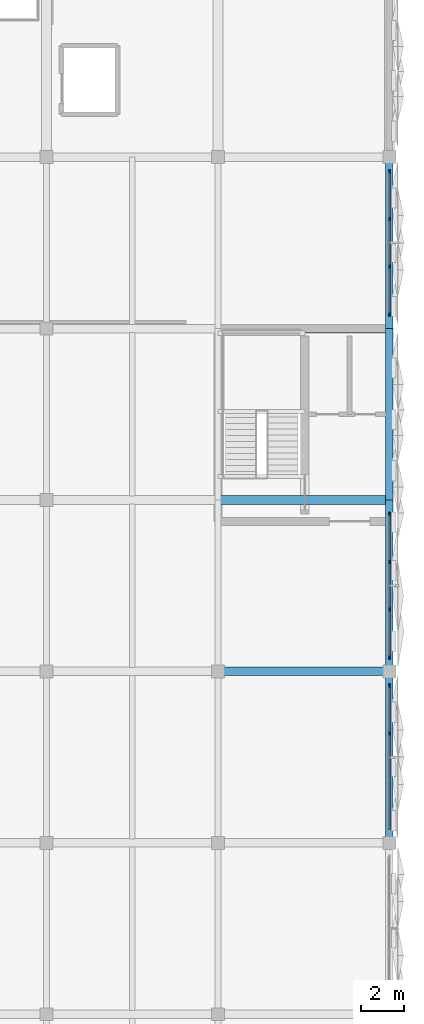
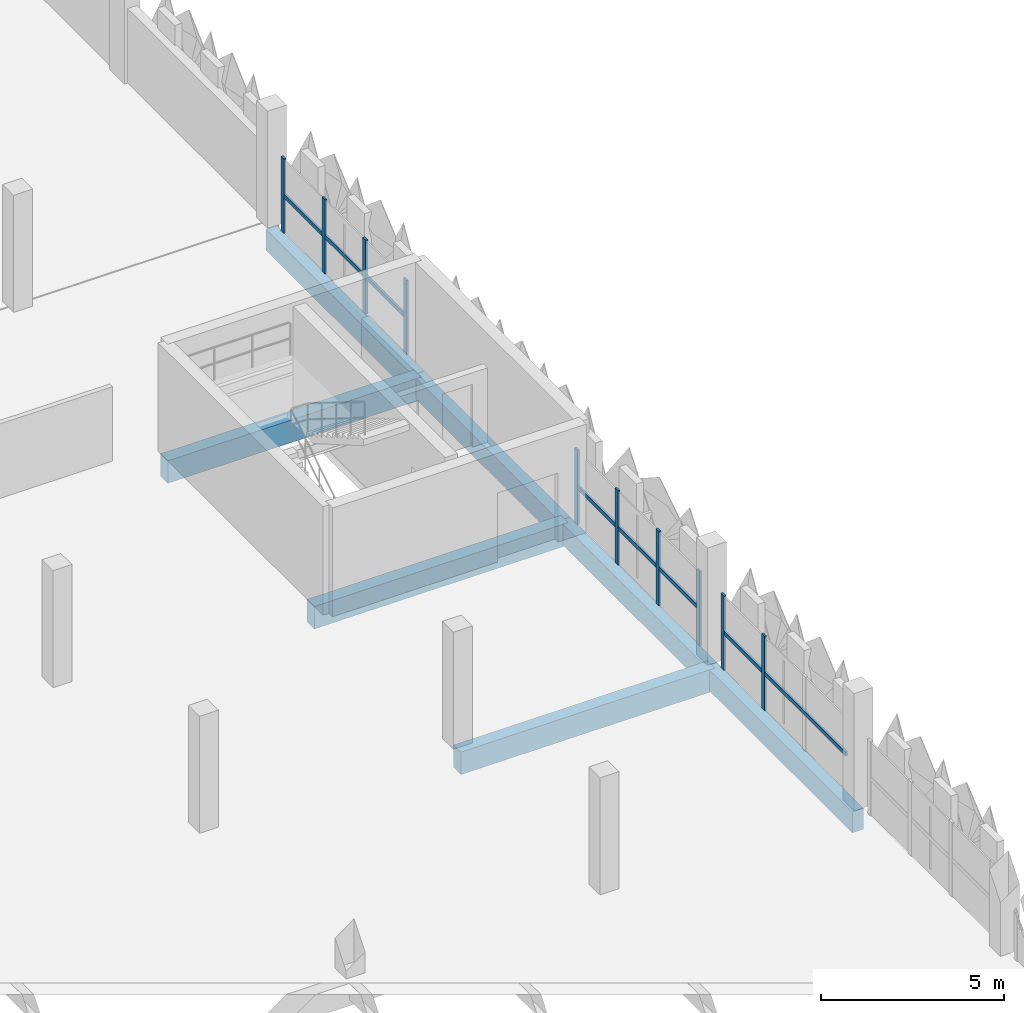
# One storey, part 47 of 123: 13 members, 7 beams, 3 elements without a shape of their own.
"""IFC4 building model written with IfcOpenShell, lengths in metres."""

import ifcopenshell
import ifcopenshell.guid

model = None  # the IFC model being written
_history = None  # IfcOwnerHistory: only IFC2X3 demands one
_inside = {}  # id of a spatial element -> (the spatial element, [elements in it])
_under = {}  # id of a project, library or spatial element -> (it, [spatial elements below it])
_declared = {}  # id of a project -> (the project, [libraries it declares])
_typed = {}  # id of a type object -> (the type object, [elements of that type])
_made_of = {}  # id of a material, layer set ... -> (it, [elements and type objects made of it])


def new_model(schema):
    """Start an empty IFC model of exactly this schema.

    Asked for "IFC4X3", IfcOpenShell would pick the latest addendum, in which some entities
    have other attributes; the version numbers below select the first issue.
    IFC2X3 requires an IfcOwnerHistory on every rooted entity: one is made here for all.
    """
    global model, _history
    if schema == "IFC4X3":
        model = ifcopenshell.file(schema_version=(4, 3, 0, 0))
    else:
        model = ifcopenshell.file(schema=schema)
    _inside.clear()
    _under.clear()
    _declared.clear()
    _typed.clear()
    _made_of.clear()
    _history = None
    if model.schema == "IFC2X3":
        org = make("IfcOrganization", Name="unknown")
        user = make(
            "IfcPersonAndOrganization",
            ThePerson=make("IfcPerson", FamilyName="unknown"),
            TheOrganization=org,
        )
        app = make(
            "IfcApplication",
            ApplicationDeveloper=org,
            Version="unknown",
            ApplicationFullName="unknown",
            ApplicationIdentifier="unknown",
        )
        _history = make(
            "IfcOwnerHistory",
            OwningUser=user,
            OwningApplication=app,
            ChangeAction="ADDED",
            CreationDate=0,
        )
    return model


def make(cls, **values):
    """One entity of the class cls with the attributes given. An attribute that is None is left unset."""
    return model.create_entity(
        cls, **{name: value for name, value in values.items() if value is not None}
    )


def rooted(cls, **values):
    """An entity with a GlobalId (a new one), such as an element, a storey or a relation."""
    return make(cls, GlobalId=ifcopenshell.guid.new(), OwnerHistory=_history, **values)


def si_unit(unit_type, name, prefix=None):
    """IfcSIUnit, for example si_unit("LENGTHUNIT", "METRE", prefix="MILLI")."""
    return make("IfcSIUnit", UnitType=unit_type, Prefix=prefix, Name=name)


def derived_unit(unit_type, elements):
    """IfcDerivedUnit: a product of units, each with its exponent."""
    return make(
        "IfcDerivedUnit",
        Elements=[
            make("IfcDerivedUnitElement", Unit=unit, Exponent=power)
            for unit, power in elements
        ],
        UnitType=unit_type,
    )


def assignment(units):
    """IfcUnitAssignment: the units of a project."""
    return None if units is None else make("IfcUnitAssignment", Units=units)


def point(xyz):
    """IfcCartesianPoint."""
    return None if xyz is None else make("IfcCartesianPoint", Coordinates=xyz)


def direction(xyz):
    """IfcDirection."""
    return None if xyz is None else make("IfcDirection", DirectionRatios=xyz)


def frame(location, z_axis=None, x_axis=None):
    """IfcAxis2Placement3D, a coordinate frame: its origin and axes. An axis left out is left unset."""
    return make(
        "IfcAxis2Placement3D",
        Location=point(location),
        Axis=direction(z_axis),
        RefDirection=direction(x_axis),
    )


def frame_2d(location, x_axis=None):
    """IfcAxis2Placement2D, a coordinate frame in the plane: its origin and x axis."""
    return make(
        "IfcAxis2Placement2D", Location=point(location), RefDirection=direction(x_axis)
    )


def origin():
    """The frame at (0, 0, 0) with its axes left unset."""
    return frame((0.0, 0.0, 0.0))


def origin_2d():
    """The frame at (0, 0) in the plane with its x axis left unset."""
    return frame_2d((0.0, 0.0))


def place(relative_to, where):
    """IfcLocalPlacement: puts the frame where relative to a parent placement (None: the world)."""
    return make(
        "IfcLocalPlacement", PlacementRelTo=relative_to, RelativePlacement=where
    )


def context(
    kind, dimensions, precision=None, world=None, true_north=None, identifier=None
):
    """IfcGeometricRepresentationContext, for example the 3D "Model" context."""
    return make(
        "IfcGeometricRepresentationContext",
        ContextIdentifier=identifier,
        ContextType=kind,
        CoordinateSpaceDimension=dimensions,
        Precision=precision,
        WorldCoordinateSystem=world,
        TrueNorth=true_north,
    )


def subcontext(parent, identifier, kind, view, scale=None):
    """IfcGeometricRepresentationSubContext, for example "Body" below "Model"."""
    return make(
        "IfcGeometricRepresentationSubContext",
        ContextIdentifier=identifier,
        ContextType=kind,
        ParentContext=parent,
        TargetScale=scale,
        TargetView=view,
    )


def project(units=None, contexts=None):
    """IfcProject with its units and contexts."""
    return rooted(
        "IfcProject",
        Name="project",
        RepresentationContexts=contexts,
        UnitsInContext=assignment(units),
    )


def spatial(cls, under=None, at=None, **own):
    """A site, building, storey or space (cls), placed at a placement, below another one or the project."""
    s = rooted(cls, ObjectPlacement=at, **own)
    if under is not None:
        _under.setdefault(under.id(), (under, []))[1].append(s)
    return s


def profile(cls, at=None, kind="AREA", **sizes):
    """A parametric profile (cls). Its sizes go by their IFC names, for example OverallWidth=200.0."""
    return make(cls, ProfileType=kind, Position=at, **sizes)


def rectangle(**sizes):
    """IfcRectangleProfileDef."""
    return profile("IfcRectangleProfileDef", **sizes)


def extrude(swept, where, along, depth):
    """IfcExtrudedAreaSolid: the profile swept, set in the frame where, extruded along a direction by depth."""
    return make(
        "IfcExtrudedAreaSolid",
        SweptArea=swept,
        Position=where,
        ExtrudedDirection=direction(along),
        Depth=depth,
    )


def shape(context_of_items, identifier, shape_type, items):
    """IfcShapeRepresentation: the items that make up one representation, for example the "Body"."""
    return make(
        "IfcShapeRepresentation",
        ContextOfItems=context_of_items,
        RepresentationIdentifier=identifier,
        RepresentationType=shape_type,
        Items=items,
    )


def material(Name=None, Category=None):
    """IfcMaterial."""
    return make("IfcMaterial", Name=Name, Category=Category)


def layer(
    of_material, thickness, ventilated=None, Name=None, Category=None, Priority=None
):
    """IfcMaterialLayer: one layer of a wall or slab, of a material (None: an air gap)."""
    return make(
        "IfcMaterialLayer",
        Material=of_material,
        LayerThickness=thickness,
        IsVentilated=ventilated,
        Name=Name,
        Category=Category,
        Priority=Priority,
    )


def layer_set(layers, Name=None):
    """IfcMaterialLayerSet."""
    return make("IfcMaterialLayerSet", MaterialLayers=layers, LayerSetName=Name)


def material_profile(
    of_material, cross_section, Name=None, Category=None, Priority=None
):
    """IfcMaterialProfile: a cross section and its material."""
    return make(
        "IfcMaterialProfile",
        Name=Name,
        Material=of_material,
        Profile=cross_section,
        Priority=Priority,
        Category=Category,
    )


def profile_set(profiles, Name=None, composite=None):
    """IfcMaterialProfileSet."""
    return make(
        "IfcMaterialProfileSet",
        Name=Name,
        MaterialProfiles=profiles,
        CompositeProfile=composite,
    )


def made_of(thing, what):
    """Note that an element or type object is made of a material, layer set ...; save() writes the relation."""
    if what is not None:
        _made_of.setdefault(what.id(), (what, []))[1].append(thing)
    return thing


def type_object(cls, material=None, **own):
    """A type object (cls), such as IfcWallType, which elements share."""
    return made_of(rooted(cls, **own), material)


def element(
    cls,
    number,
    at=None,
    inside=None,
    cuts=None,
    type_object=None,
    material=None,
    context=None,
    identifier="Body",
    shape_type=None,
    held_by="IfcProductDefinitionShape",
    body=None,
    shapes=None,
    **own,
):
    """One element of the class cls, such as IfcWall. Its Tag is "e" and its number.

    at: its placement. inside: the storey or other place that contains it. cuts: it is an
    opening in that element (IfcRelVoidsElement). A single representation is given by context,
    identifier, shape_type and body (its items); several are given by shapes. held_by: the class
    of the entity that holds the representations. save() writes the other relations.
    """
    e = rooted(cls, Tag="e%d" % number, ObjectPlacement=at, **own)
    if body is not None:
        shapes = [shape(context, identifier, shape_type, body)]
    if shapes is not None:
        e.Representation = make(held_by, Representations=shapes)
    if inside is not None:
        _inside.setdefault(inside.id(), (inside, []))[1].append(e)
    if cuts is not None:
        rooted(
            "IfcRelVoidsElement", RelatingBuildingElement=cuts, RelatedOpeningElement=e
        )
    if type_object is not None:
        _typed.setdefault(type_object.id(), (type_object, []))[1].append(e)
    return made_of(e, material)


def aggregate(whole, parts):
    """IfcRelAggregates: a whole, such as a stair, and the parts it consists of."""
    return rooted("IfcRelAggregates", RelatingObject=whole, RelatedObjects=parts)


def save(model, path):
    """Write the relations noted so far, then the file.

    IfcRelAggregates (storeys below a building ...), IfcRelContainedInSpatialStructure (elements
    in a storey), IfcRelDefinesByType, IfcRelAssociatesMaterial and IfcRelDeclares: one each for
    every whole, place, type object, material and project.
    """
    for whole, parts in _under.values():
        aggregate(whole, parts)
    for where, things in _inside.values():
        rooted(
            "IfcRelContainedInSpatialStructure",
            RelatedElements=things,
            RelatingStructure=where,
        )
    for kind, things in _typed.values():
        rooted("IfcRelDefinesByType", RelatedObjects=things, RelatingType=kind)
    for what, things in _made_of.values():
        rooted("IfcRelAssociatesMaterial", RelatedObjects=things, RelatingMaterial=what)
    for by, libraries in _declared.values():
        rooted("IfcRelDeclares", RelatingContext=by, RelatedDefinitions=libraries)
    model.write(path)


model = new_model("IFC4")

# Units and contexts
model_context = context("Model", 3, precision=1e-05, world=origin(), true_north=direction((0.0, 1.0)))
body_context = subcontext(model_context, "Body", "Model", "MODEL_VIEW")
ifc_project = project(units=[si_unit("LENGTHUNIT", "METRE"), si_unit("AREAUNIT", "SQUARE_METRE"), si_unit("VOLUMEUNIT", "CUBIC_METRE"), si_unit("PLANEANGLEUNIT", "RADIAN"), si_unit("MASSUNIT", "GRAM", prefix="KILO"), si_unit("THERMODYNAMICTEMPERATUREUNIT", "KELVIN"), derived_unit("THERMALTRANSMITTANCEUNIT", [(si_unit("POWERUNIT", "WATT"), 1), (si_unit("AREAUNIT", "SQUARE_METRE"), -1), (si_unit("THERMODYNAMICTEMPERATUREUNIT", "KELVIN"), -1)])], contexts=[model_context])

# Site, building, storey
site_placement = place(None, origin())
site = spatial("IfcSite", under=ifc_project, at=site_placement, CompositionType="ELEMENT")
building_placement = place(site_placement, origin())
building = spatial("IfcBuilding", under=site, at=building_placement, Name="Haiyu Intermodal Mobility Hub", CompositionType="ELEMENT")
storey_placement = place(building_placement, frame((0.0, 0.0, 5.60009765625)))
storey = spatial("IfcBuildingStorey", under=building, at=storey_placement, Name="L01", CompositionType="ELEMENT", Elevation=5.60009765625)

# Beams
ifc_material_1 = material(Name="Concrete C40", Category="concrete")
ifc_material_profile_1 = material_profile(ifc_material_1, rectangle(XDim=0.39990234375, YDim=0.75, at=origin_2d()), Name="RCB400x750")
ifc_profile_set_1 = profile_set([ifc_material_profile_1], Name="Concrete C40")
beam_type_1 = type_object("IfcBeamType", Name="BM-CB03", PredefinedType="BEAM", material=ifc_profile_set_1)
for number, where, z_axis, x_axis, name in (
    (1, (202.0, 56.0, -0.635009765625), (1.0, 0.0, 0.0), (0.0, 1.0, 0.0), "BM-V5G-L01-041"),
    (2, (202.0, 64.0, -0.635009765625), (1.0, 0.0, 0.0), (0.0, 1.0, 0.0), "BM-V5G-L01-048"),
    (3, (202.0, 72.0, -0.635009765625), (1.0, 0.0, 0.0), (0.0, 1.0, 0.0), "BM-V5G-L01-055"),
):
    element("IfcBeam", number, at=place(storey_placement, frame(where, z_axis=z_axis, x_axis=x_axis)), inside=storey, type_object=beam_type_1, Name=name, PredefinedType="BEAM", context=body_context, shape_type="SweptSolid", body=[
        extrude(rectangle(XDim=0.39990234375, YDim=0.75, at=origin_2d()), origin(), (0.0, 0.0, 1.0), 8.0),
    ])
ifc_material_profile_2 = material_profile(ifc_material_1, rectangle(XDim=0.35009765625, YDim=0.699951171875, at=origin_2d()), Name="RCB350x700")
ifc_profile_set_2 = profile_set([ifc_material_profile_2], Name="Concrete C40")
beam_type_2 = type_object("IfcBeamType", Name="BM-CB06", PredefinedType="BEAM", material=ifc_profile_set_2)
for number, where, z_axis, x_axis, name in (
    (4, (210.0, 48.0, -0.610107421875), (0.0, 1.0, 0.0), (-1.0, 0.0, 0.0), "BM-V5T-L01-060"),
    (5, (210.0, 56.0, -0.610107421875), (0.0, 1.0, 0.0), (-1.0, 0.0, 0.0), "BM-V5T-L01-061"),
    (6, (210.0, 64.0, -0.610107421875), (0.0, 1.0, 0.0), (-1.0, 0.0, 0.0), "BM-V5T-L01-062"),
    (7, (210.0, 72.0, -0.610107421875), (0.0, 1.0, 0.0), (-1.0, 0.0, 0.0), "BM-V5T-L01-063"),
):
    element("IfcBeam", number, at=place(storey_placement, frame(where, z_axis=z_axis, x_axis=x_axis)), inside=storey, type_object=beam_type_2, Name=name, PredefinedType="BEAM", context=body_context, shape_type="SweptSolid", body=[
        extrude(rectangle(XDim=0.35009765625, YDim=0.699951171875, at=origin_2d()), origin(), (0.0, 0.0, 1.0), 8.0),
    ])

# Curtain wall, members
ifc_material_2 = material(Name="Low-e laminated insulating glass", Category="glass")
ifc_layer = layer(ifc_material_2, 0.2099609375)
ifc_layer_set = layer_set([ifc_layer], Name="Low-e laminated insulating glass")
curtain_wall_type = type_object("IfcCurtainWallType", Name="CW-CW04", PredefinedType="NOTDEFINED", material=ifc_layer_set)
curtain_wall_1_placement = place(storey_placement, origin())
curtain_wall_1 = element("IfcCurtainWall", 8, at=curtain_wall_1_placement, inside=storey, type_object=curtain_wall_type, Name="Curtain Wall CW-V5E-L01-102", PredefinedType="NOTDEFINED")
ifc_material_3 = material(Name="Anodised aluminium 6063-T6", Category="aluminium")
ifc_material_profile_3 = material_profile(ifc_material_3, rectangle(XDim=0.06494140625, YDim=0.1650390625, at=origin_2d()), Name="ALU65x165")
ifc_profile_set_3 = profile_set([ifc_material_profile_3], Name="Anodised aluminium 6063-T6")
member_type_1 = type_object("IfcMemberType", Name="CWM-ML02", PredefinedType="MULLION", material=ifc_profile_set_3)
member_1_placement = place(storey_placement, frame((210.0, 53.113037109375, 0.0), z_axis=(0.0, 0.0, 1.0), x_axis=(1.0, 0.0, 0.0)))
member_1 = element("IfcMember", 9, at=member_1_placement, type_object=member_type_1, Name="CW-V5E-L01-102-ML03", PredefinedType="MULLION", context=body_context, shape_type="SweptSolid", body=[
    extrude(rectangle(XDim=0.06494140625, YDim=0.1650390625, at=origin_2d()), origin(), (0.0, 0.0, 1.0), 2.47998046875),
])
member_2_placement = place(storey_placement, frame((210.0, 55.340087890625, 0.0), z_axis=(0.0, 0.0, 1.0), x_axis=(1.0, 0.0, 0.0)))
member_2 = element("IfcMember", 10, at=member_2_placement, type_object=member_type_1, Name="CW-V5E-L01-102-ML04", PredefinedType="MULLION", context=body_context, shape_type="SweptSolid", body=[
    extrude(rectangle(XDim=0.06494140625, YDim=0.1650390625, at=origin_2d()), origin(), (0.0, 0.0, 1.0), 2.47998046875),
])

curtain_wall_2_placement = place(storey_placement, origin())
curtain_wall_2 = element("IfcCurtainWall", 11, at=curtain_wall_2_placement, inside=storey, type_object=curtain_wall_type, Name="Curtain Wall CW-V5E-L01-103", PredefinedType="NOTDEFINED")
member_3_placement = place(storey_placement, frame((210.0, 56.659912109375, 0.0), z_axis=(0.0, 0.0, 1.0), x_axis=(1.0, 0.0, 0.0)))
member_3 = element("IfcMember", 12, at=member_3_placement, type_object=member_type_1, Name="CW-V5E-L01-103-ML01", PredefinedType="MULLION", context=body_context, shape_type="SweptSolid", body=[
    extrude(rectangle(XDim=0.06494140625, YDim=0.1650390625, at=origin_2d()), origin(), (0.0, 0.0, 1.0), 2.47998046875),
])
member_4_placement = place(storey_placement, frame((210.0, 58.886962890625, 0.0), z_axis=(0.0, 0.0, 1.0), x_axis=(1.0, 0.0, 0.0)))
member_4 = element("IfcMember", 13, at=member_4_placement, type_object=member_type_1, Name="CW-V5E-L01-103-ML02", PredefinedType="MULLION", context=body_context, shape_type="SweptSolid", body=[
    extrude(rectangle(XDim=0.06494140625, YDim=0.1650390625, at=origin_2d()), origin(), (0.0, 0.0, 1.0), 2.47998046875),
])
member_5_placement = place(storey_placement, frame((210.0, 61.113037109375, 0.0), z_axis=(0.0, 0.0, 1.0), x_axis=(1.0, 0.0, 0.0)))
member_5 = element("IfcMember", 14, at=member_5_placement, type_object=member_type_1, Name="CW-V5E-L01-103-ML03", PredefinedType="MULLION", context=body_context, shape_type="SweptSolid", body=[
    extrude(rectangle(XDim=0.06494140625, YDim=0.1650390625, at=origin_2d()), origin(), (0.0, 0.0, 1.0), 2.47998046875),
])
member_6_placement = place(storey_placement, frame((210.0, 63.340087890625, 0.0), z_axis=(0.0, 0.0, 1.0), x_axis=(1.0, 0.0, 0.0)))
member_6 = element("IfcMember", 15, at=member_6_placement, type_object=member_type_1, Name="CW-V5E-L01-103-ML04", PredefinedType="MULLION", context=body_context, shape_type="SweptSolid", body=[
    extrude(rectangle(XDim=0.06494140625, YDim=0.1650390625, at=origin_2d()), origin(), (0.0, 0.0, 1.0), 2.47998046875),
])

curtain_wall_3_placement = place(storey_placement, origin())
curtain_wall_3 = element("IfcCurtainWall", 16, at=curtain_wall_3_placement, inside=storey, type_object=curtain_wall_type, Name="Curtain Wall CW-V5E-L01-104", PredefinedType="NOTDEFINED")
member_7_placement = place(storey_placement, frame((210.0, 72.659912109375, 0.0), z_axis=(0.0, 0.0, 1.0), x_axis=(1.0, 0.0, 0.0)))
member_7 = element("IfcMember", 17, at=member_7_placement, type_object=member_type_1, Name="CW-V5E-L01-104-ML01", PredefinedType="MULLION", context=body_context, shape_type="SweptSolid", body=[
    extrude(rectangle(XDim=0.06494140625, YDim=0.1650390625, at=origin_2d()), origin(), (0.0, 0.0, 1.0), 2.47998046875),
])
member_8_placement = place(storey_placement, frame((210.0, 74.886962890625, 0.0), z_axis=(0.0, 0.0, 1.0), x_axis=(1.0, 0.0, 0.0)))
member_8 = element("IfcMember", 18, at=member_8_placement, type_object=member_type_1, Name="CW-V5E-L01-104-ML02", PredefinedType="MULLION", context=body_context, shape_type="SweptSolid", body=[
    extrude(rectangle(XDim=0.06494140625, YDim=0.1650390625, at=origin_2d()), origin(), (0.0, 0.0, 1.0), 2.47998046875),
])
member_9_placement = place(storey_placement, frame((210.0, 77.113037109375, 0.0), z_axis=(0.0, 0.0, 1.0), x_axis=(1.0, 0.0, 0.0)))
member_9 = element("IfcMember", 19, at=member_9_placement, type_object=member_type_1, Name="CW-V5E-L01-104-ML03", PredefinedType="MULLION", context=body_context, shape_type="SweptSolid", body=[
    extrude(rectangle(XDim=0.06494140625, YDim=0.1650390625, at=origin_2d()), origin(), (0.0, 0.0, 1.0), 2.47998046875),
])
member_10_placement = place(storey_placement, frame((210.0, 79.340087890625, 0.0), z_axis=(0.0, 0.0, 1.0), x_axis=(1.0, 0.0, 0.0)))
member_10 = element("IfcMember", 20, at=member_10_placement, type_object=member_type_1, Name="CW-V5E-L01-104-ML04", PredefinedType="MULLION", context=body_context, shape_type="SweptSolid", body=[
    extrude(rectangle(XDim=0.06494140625, YDim=0.1650390625, at=origin_2d()), origin(), (0.0, 0.0, 1.0), 2.47998046875),
])

# Member
ifc_material_profile_4 = material_profile(ifc_material_3, rectangle(XDim=0.06494140625, YDim=0.135009765625, at=origin_2d()), Name="ALU65x135")
ifc_profile_set_4 = profile_set([ifc_material_profile_4], Name="Anodised aluminium 6063-T6")
member_type_2 = type_object("IfcMemberType", Name="CWM-TR02", PredefinedType="USERDEFINED", material=ifc_profile_set_4)
member_11_placement = place(storey_placement, frame((210.0, 48.6201171875, 1.239990234375), z_axis=(0.0, 1.0, 0.0), x_axis=(-1.0, 0.0, 0.0)))
member_11 = element("IfcMember", 21, at=member_11_placement, type_object=member_type_2, Name="CW-V5E-L01-102-TR01", ObjectType="TRANSOM", PredefinedType="USERDEFINED", context=body_context, shape_type="SweptSolid", body=[
    extrude(rectangle(XDim=0.06494140625, YDim=0.135009765625, at=origin_2d()), origin(), (0.0, 0.0, 1.0), 6.759765625),
])

aggregate(curtain_wall_1, [member_1, member_2, member_11])

member_12_placement = place(storey_placement, frame((210.0, 56.6201171875, 1.239990234375), z_axis=(0.0, 1.0, 0.0), x_axis=(-1.0, 0.0, 0.0)))
member_12 = element("IfcMember", 22, at=member_12_placement, type_object=member_type_2, Name="CW-V5E-L01-103-TR01", ObjectType="TRANSOM", PredefinedType="USERDEFINED", context=body_context, shape_type="SweptSolid", body=[
    extrude(rectangle(XDim=0.06494140625, YDim=0.135009765625, at=origin_2d()), origin(), (0.0, 0.0, 1.0), 6.759765625),
])

aggregate(curtain_wall_2, [member_3, member_4, member_5, member_6, member_12])

member_13_placement = place(storey_placement, frame((210.0, 72.6201171875, 1.239990234375), z_axis=(0.0, 1.0, 0.0), x_axis=(-1.0, 0.0, 0.0)))
member_13 = element("IfcMember", 23, at=member_13_placement, type_object=member_type_2, Name="CW-V5E-L01-104-TR01", ObjectType="TRANSOM", PredefinedType="USERDEFINED", context=body_context, shape_type="SweptSolid", body=[
    extrude(rectangle(XDim=0.06494140625, YDim=0.135009765625, at=origin_2d()), origin(), (0.0, 0.0, 1.0), 6.759765625),
])

aggregate(curtain_wall_3, [member_7, member_8, member_9, member_10, member_13])

save(model, "model.ifc")
